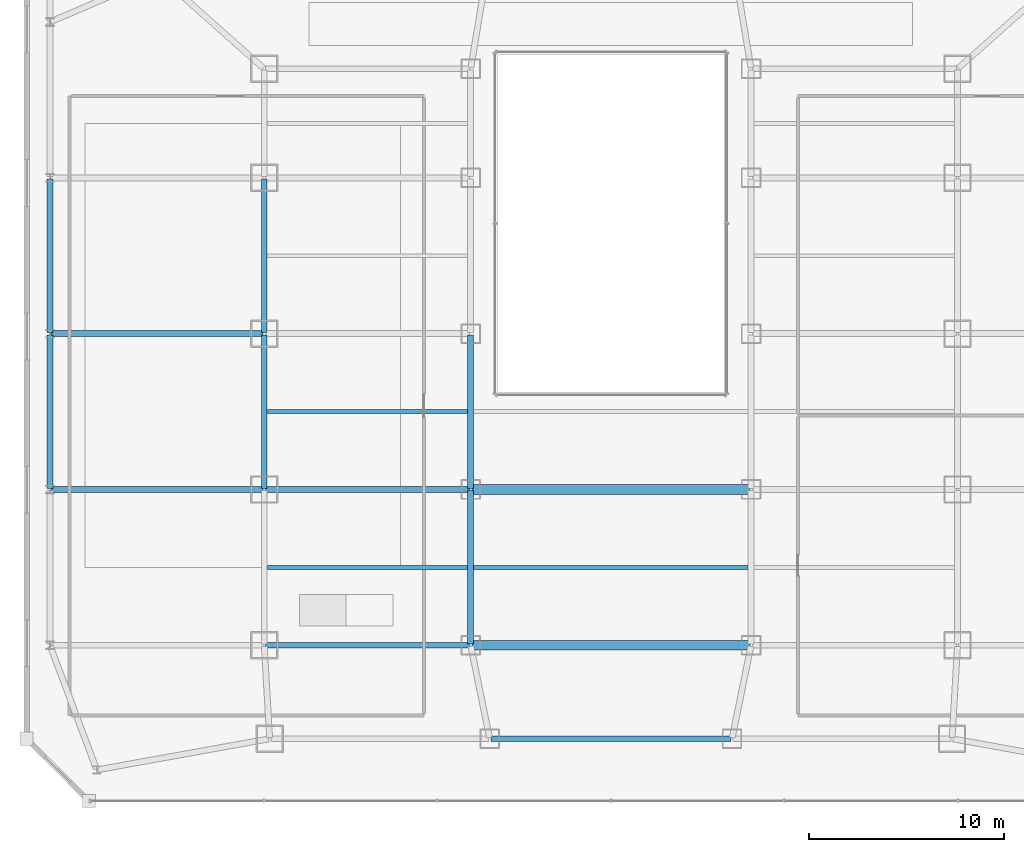
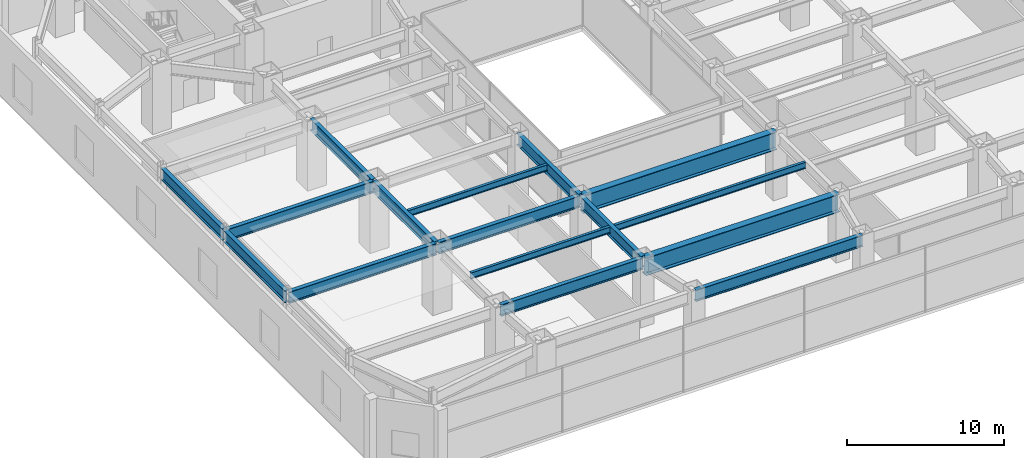
# One storey, part 11 of 52: 16 beams.
"""IFC4 building model written with IfcOpenShell, lengths in metres."""

from ifc_helpers import new_model, si_unit, direction, frame, origin, origin_2d, place, context, subcontext, project, spatial, i_section, extrude, material, material_profile, profile_set, type_object, element, save


model = new_model("IFC4")

# Units and contexts
model_context = context("Model", 3, precision=1e-05, world=origin(), true_north=direction((0.0, 1.0)))
body_context = subcontext(model_context, "Body", "Model", "MODEL_VIEW")
ifc_project = project(units=[si_unit("LENGTHUNIT", "METRE"), si_unit("AREAUNIT", "SQUARE_METRE"), si_unit("VOLUMEUNIT", "CUBIC_METRE"), si_unit("PLANEANGLEUNIT", "RADIAN"), si_unit("MASSUNIT", "GRAM", prefix="KILO")], contexts=[model_context])

# Site, building, storey
site_placement = place(None, origin())
site = spatial("IfcSite", under=ifc_project, at=site_placement, CompositionType="ELEMENT")
building_placement = place(site_placement, origin())
building = spatial("IfcBuilding", under=site, at=building_placement, Name="Saevonmaru Cultural Tower", CompositionType="ELEMENT")
storey_placement = place(building_placement, frame((0.0, 0.0, 11.39990234375)))
storey = spatial("IfcBuildingStorey", under=building, at=storey_placement, Name="L02", CompositionType="ELEMENT", Elevation=11.39990234375)

# Beams
ifc_material_1 = material(Name="Steel SM420", Category="steel")
ifc_material_profile_1 = material_profile(ifc_material_1, i_section(OverallWidth=0.300048828125, OverallDepth=0.89990234375, WebThickness=0.01611328125, FlangeThickness=0.028076171875, FilletRadius=0.028076171875, at=origin_2d()), Name="H-900x300x16x28")
ifc_profile_set_1 = profile_set([ifc_material_profile_1], Name="Steel SM420")
beam_type_1 = type_object("IfcBeamType", Name="BM-G-H900", PredefinedType="BEAM", material=ifc_profile_set_1)
for number, where, z_axis, x_axis, name in (
    (1, (12.199951171875, 16.06005859375, 4.650146484375), (0.0, 1.0, 0.0), (-1.0, 0.0, 0.0), "L02 Podium Girder NS1-3"),
    (2, (12.199951171875, 24.06005859375, 4.650146484375), (0.0, 1.0, 0.0), (-1.0, 0.0, 0.0), "L02 Podium Girder NS1-4"),
    (3, (22.800048828125, 8.06005859375, 4.650146484375), (0.0, 1.0, 0.0), (-1.0, 0.0, 0.0), "L02 Podium Girder NS2-2"),
    (4, (22.800048828125, 16.06005859375, 4.650146484375), (0.0, 1.0, 0.0), (-1.0, 0.0, 0.0), "L02 Podium Girder NS2-3"),
):
    element("IfcBeam", number, at=place(storey_placement, frame(where, z_axis=z_axis, x_axis=x_axis)), inside=storey, type_object=beam_type_1, Name=name, PredefinedType="BEAM", context=body_context, shape_type="SweptSolid", body=[
        extrude(i_section(OverallWidth=0.300048828125, OverallDepth=0.89990234375, WebThickness=0.01611328125, FlangeThickness=0.028076171875, FilletRadius=0.028076171875, at=origin_2d()), origin(), (0.0, 0.0, 1.0), 7.8798828125),
    ])
beam_1_placement = place(storey_placement, frame((23.840087890625, 3.199951171875, 4.650146484375), z_axis=(1.0, 0.0, 0.0), x_axis=(0.0, 1.0, 0.0)))
element("IfcBeam", 5, at=beam_1_placement, inside=storey, type_object=beam_type_1, Name="BM-POD-EW-C-0-L02", PredefinedType="BEAM", context=body_context, shape_type="SweptSolid", body=[
    extrude(i_section(OverallWidth=0.300048828125, OverallDepth=0.89990234375, WebThickness=0.01611328125, FlangeThickness=0.028076171875, FilletRadius=0.028076171875, at=origin_2d()), origin(), (0.0, 0.0, 1.0), 12.31982421875),
])
for number, where, z_axis, x_axis, name in (
    (6, (12.260009765625, 8.0, 4.650146484375), (1.0, 0.0, 0.0), (0.0, 1.0, 0.0), "L02 Gallery Girder W-1"),
    (7, (12.260009765625, 16.0, 4.650146484375), (1.0, 0.0, 0.0), (0.0, 1.0, 0.0), "L02 Gallery Girder W-2"),
):
    element("IfcBeam", number, at=place(storey_placement, frame(where, z_axis=z_axis, x_axis=x_axis)), inside=storey, type_object=beam_type_1, Name=name, PredefinedType="BEAM", context=body_context, shape_type="SweptSolid", body=[
        extrude(i_section(OverallWidth=0.300048828125, OverallDepth=0.89990234375, WebThickness=0.01611328125, FlangeThickness=0.028076171875, FilletRadius=0.028076171875, at=origin_2d()), origin(), (0.0, 0.0, 1.0), 10.47998046875),
    ])
for number, where, z_axis, x_axis, name in (
    (8, (1.260009765625, 16.0, 4.650146484375), (1.0, 0.0, 0.0), (0.0, 1.0, 0.0), "BM-POD-OW-2-L02"),
    (9, (1.260009765625, 24.0, 4.650146484375), (1.0, 0.0, 0.0), (0.0, 1.0, 0.0), "BM-POD-OW-3-L02"),
):
    element("IfcBeam", number, at=place(storey_placement, frame(where, z_axis=z_axis, x_axis=x_axis)), inside=storey, type_object=beam_type_1, Name=name, PredefinedType="BEAM", context=body_context, shape_type="SweptSolid", body=[
        extrude(i_section(OverallWidth=0.300048828125, OverallDepth=0.89990234375, WebThickness=0.01611328125, FlangeThickness=0.028076171875, FilletRadius=0.028076171875, at=origin_2d()), origin(), (0.0, 0.0, 1.0), 10.8798828125),
    ])
for number, where, z_axis, x_axis, name in (
    (10, (1.199951171875, 16.06005859375, 4.650146484375), (0.0, 1.0, 0.0), (-1.0, 0.0, 0.0), "BM-POD-PW-2-L02"),
    (11, (1.199951171875, 24.06005859375, 4.650146484375), (0.0, 1.0, 0.0), (-1.0, 0.0, 0.0), "BM-POD-PW-3-L02"),
):
    element("IfcBeam", number, at=place(storey_placement, frame(where, z_axis=z_axis, x_axis=x_axis)), inside=storey, type_object=beam_type_1, Name=name, PredefinedType="BEAM", context=body_context, shape_type="SweptSolid", body=[
        extrude(i_section(OverallWidth=0.300048828125, OverallDepth=0.89990234375, WebThickness=0.01611328125, FlangeThickness=0.028076171875, FilletRadius=0.028076171875, at=origin_2d()), origin(), (0.0, 0.0, 1.0), 7.8798828125),
    ])
ifc_material_2 = material(Name="Steel SM355", Category="steel")
ifc_material_profile_2 = material_profile(ifc_material_2, i_section(OverallWidth=0.199951171875, OverallDepth=0.5, WebThickness=0.010009765625, FlangeThickness=0.01611328125, FilletRadius=0.02001953125, at=origin_2d()), Name="H-500x200x10x16")
ifc_profile_set_2 = profile_set([ifc_material_profile_2], Name="Steel SM355")
beam_type_2 = type_object("IfcBeamType", Name="BM-J-H500", PredefinedType="JOIST", material=ifc_profile_set_2)
beam_2_placement = place(storey_placement, frame((12.35791015625, 12.0, 4.85009765625), z_axis=(1.0, 0.0, 0.0), x_axis=(0.0, 1.0, 0.0)))
element("IfcBeam", 12, at=beam_2_placement, inside=storey, type_object=beam_type_2, Name="L02 Secondary Floor Joist JW-1", PredefinedType="JOIST", context=body_context, shape_type="SweptSolid", body=[
    extrude(i_section(OverallWidth=0.199951171875, OverallDepth=0.5, WebThickness=0.010009765625, FlangeThickness=0.01611328125, FilletRadius=0.02001953125, at=origin_2d()), origin(), (0.0, 0.0, 1.0), 10.2841796875),
])
beam_3_placement = place(storey_placement, frame((22.9580078125, 12.0, 4.85009765625), z_axis=(1.0, 0.0, 0.0), x_axis=(0.0, 1.0, 0.0)))
element("IfcBeam", 13, at=beam_3_placement, inside=storey, type_object=beam_type_2, Name="L02 Secondary Floor Joist JC-1", PredefinedType="JOIST", context=body_context, shape_type="SweptSolid", body=[
    extrude(i_section(OverallWidth=0.199951171875, OverallDepth=0.5, WebThickness=0.010009765625, FlangeThickness=0.01611328125, FilletRadius=0.02001953125, at=origin_2d()), origin(), (0.0, 0.0, 1.0), 14.083984375),
])
beam_4_placement = place(storey_placement, frame((12.35791015625, 20.0, 4.85009765625), z_axis=(1.0, 0.0, 0.0), x_axis=(0.0, 1.0, 0.0)))
element("IfcBeam", 14, at=beam_4_placement, inside=storey, type_object=beam_type_2, Name="L02 Secondary Floor Joist JW-2", PredefinedType="JOIST", context=body_context, shape_type="SweptSolid", body=[
    extrude(i_section(OverallWidth=0.199951171875, OverallDepth=0.5, WebThickness=0.010009765625, FlangeThickness=0.01611328125, FilletRadius=0.02001953125, at=origin_2d()), origin(), (0.0, 0.0, 1.0), 10.2841796875),
])
ifc_material_3 = material(Name="Steel HSA600 (600 MPa)", Category="steel")
ifc_material_profile_3 = material_profile(ifc_material_3, i_section(OverallWidth=0.5, OverallDepth=1.39990234375, WebThickness=0.02392578125, FlangeThickness=0.044921875, at=origin_2d()), Name="PG-1400x500x24x45")
ifc_profile_set_3 = profile_set([ifc_material_profile_3], Name="Steel HSA600 (600 MPa)")
beam_type_3 = type_object("IfcBeamType", Name="BM-TG-PG1400", PredefinedType="BEAM", material=ifc_profile_set_3)
for number, where, z_axis, x_axis, name in (
    (15, (22.860107421875, 8.0, 4.400146484375), (1.0, 0.0, 0.0), (0.0, 1.0, 0.0), "L02 Long-Span Hall Girder C-1"),
    (16, (22.860107421875, 16.0, 4.400146484375), (1.0, 0.0, 0.0), (0.0, 1.0, 0.0), "L02 Long-Span Hall Girder C-2"),
):
    element("IfcBeam", number, at=place(storey_placement, frame(where, z_axis=z_axis, x_axis=x_axis)), inside=storey, type_object=beam_type_3, Name=name, PredefinedType="BEAM", context=body_context, shape_type="SweptSolid", body=[
        extrude(i_section(OverallWidth=0.5, OverallDepth=1.39990234375, WebThickness=0.02392578125, FlangeThickness=0.044921875, at=origin_2d()), origin(), (0.0, 0.0, 1.0), 14.27978515625),
    ])

save(model, "model.ifc")
